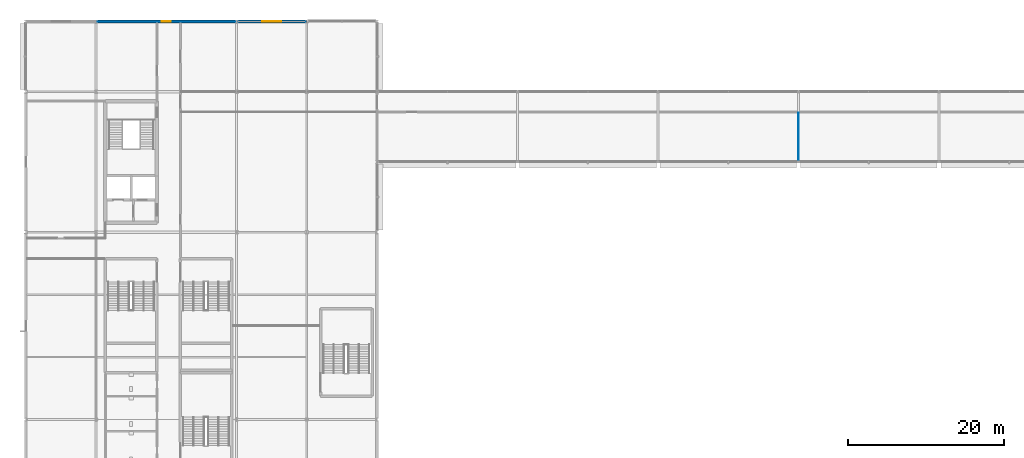
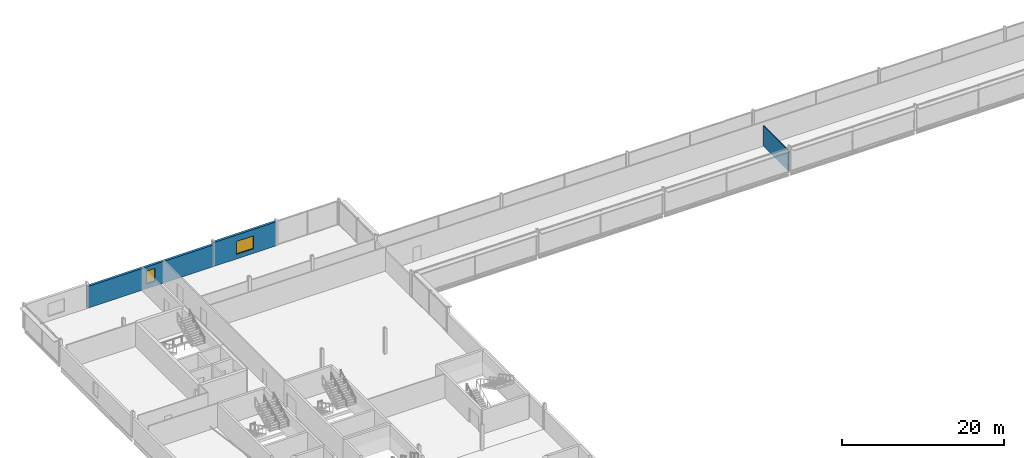
# One storey, part 62 of 98: 3 walls, 2 windows, 2 openings.
"""IFC4 building model written with IfcOpenShell, lengths in metres."""

from ifc_helpers import new_model, si_unit, direction, frame, frame_2d, origin, place, context, subcontext, project, spatial, rectangle, extrude, material, layer, layer_set, type_object, element, fill, save


model = new_model("IFC4")

# Units and contexts
model_context = context("Model", 3, precision=1e-05, world=origin(), true_north=direction((0.0, 1.0)))
body_context = subcontext(model_context, "Body", "Model", "MODEL_VIEW")
ifc_project = project(units=[si_unit("LENGTHUNIT", "METRE"), si_unit("AREAUNIT", "SQUARE_METRE"), si_unit("VOLUMEUNIT", "CUBIC_METRE"), si_unit("PLANEANGLEUNIT", "RADIAN"), si_unit("MASSUNIT", "GRAM", prefix="KILO")], contexts=[model_context])

# Site, building, storey
site_placement = place(None, origin())
site = spatial("IfcSite", under=ifc_project, at=site_placement, CompositionType="ELEMENT")
building_placement = place(site_placement, origin())
building = spatial("IfcBuilding", under=site, at=building_placement, Name="Kisiwana Market Hall", CompositionType="ELEMENT")
storey_placement = place(building_placement, frame((0.0, 0.0, 29.39990234375)))
storey = spatial("IfcBuildingStorey", under=building, at=storey_placement, Name="L06", CompositionType="ELEMENT", Elevation=29.39990234375)

# Wall, opening, window
ifc_material_1 = material(Name="Concrete C40/50 precast", Category="concrete")
ifc_layer_1 = layer(ifc_material_1, 0.14990234375, Name="Precast architectural concrete spandrel")
ifc_material_2 = material(Name="Mineral wool insulation")
ifc_layer_2 = layer(ifc_material_2, 0.090087890625, Name="Rockwool thermal insulation")
ifc_material_3 = material(Name="Masonry blockwork", Category="masonry")
ifc_layer_3 = layer(ifc_material_3, 0.10009765625, Name="Inner masonry block leaf")
ifc_layer_set_1 = layer_set([ifc_layer_1, ifc_layer_2, ifc_layer_3], Name="WL-EXT-PREC-340")
wall_type_1 = type_object("IfcWallType", Name="WL-EXT-PREC-340", PredefinedType="STANDARD", material=ifc_layer_set_1)
wall_1_placement = place(storey_placement, frame((9.010009765625, 111.0, 0.0), z_axis=(0.0, 0.0, 1.0), x_axis=(1.0, 0.0, 0.0)))
wall_1 = element("IfcWall", 1, at=wall_1_placement, inside=storey, type_object=wall_type_1, Name="Exterior wall W-1996", PredefinedType="STANDARD", context=body_context, shape_type="SweptSolid", body=[
    extrude(rectangle(XDim=17.97998046875, YDim=0.340087890625, at=frame_2d((8.989990234375, 0.0))), origin(), (0.0, 0.0, 1.0), 3.2802734375),
])
opening_1_placement = place(wall_1_placement, frame((8.389892578125, 0.0, 0.699951171875)))
opening_1 = element("IfcOpeningElement", 2, at=opening_1_placement, cuts=wall_1, Name="Opening WN-15", PredefinedType="OPENING", context=body_context, shape_type="SweptSolid", body=[
    extrude(rectangle(XDim=1.199951171875, YDim=1.949951171875, at=frame_2d((0.60009765625, 0.97509765625))), frame((0.0, 0.18212890625, 0.0), z_axis=(0.0, -1.0, 0.0), x_axis=(1.0, 0.0, 0.0)), (0.0, 0.0, 1.0), 0.364013671875),
])
ifc_material_4 = material(Name="Double-glazed solar-control low-E IGU", Category="glass")
window_type_1 = type_object("IfcWindowType", Name="WN-OFFA-1200x1950", PartitioningType="SINGLE_PANEL", PredefinedType="WINDOW", material=ifc_material_4)
window_1_placement = place(opening_1_placement, origin())
window_1 = element("IfcWindow", 3, at=window_1_placement, inside=storey, type_object=window_type_1, Name="Exterior window WN-189", OverallHeight=1.949951171875, OverallWidth=1.199951171875, PartitioningType="SINGLE_PANEL", PredefinedType="WINDOW", context=body_context, shape_type="SweptSolid", body=[
    extrude(rectangle(XDim=1.199951171875, YDim=1.949951171875, at=frame_2d((0.60009765625, 0.97509765625))), frame((0.0, 0.030029296875, 0.0), z_axis=(0.0, -1.0, 0.0), x_axis=(1.0, 0.0, 0.0)), (0.0, 0.0, 1.0), 0.06005859375),
])
fill(opening_1, window_1)

wall_2_placement = place(storey_placement, frame((27.010009765625, 111.0, 0.0), z_axis=(0.0, 0.0, 1.0), x_axis=(1.0, 0.0, 0.0)))
wall_2 = element("IfcWall", 4, at=wall_2_placement, inside=storey, type_object=wall_type_1, Name="Exterior wall W-1997", PredefinedType="STANDARD", context=body_context, shape_type="SweptSolid", body=[
    extrude(rectangle(XDim=8.97998046875, YDim=0.340087890625, at=frame_2d((4.489990234375, 0.0))), origin(), (0.0, 0.0, 1.0), 3.6201171875),
])
opening_2_placement = place(wall_2_placement, frame((3.2900390625, 0.0, 0.699951171875)))
opening_2 = element("IfcOpeningElement", 5, at=opening_2_placement, cuts=wall_2, Name="Opening WN-27", PredefinedType="OPENING", context=body_context, shape_type="SweptSolid", body=[
    extrude(rectangle(XDim=2.39990234375, YDim=1.949951171875, at=frame_2d((1.199951171875, 0.97509765625))), frame((0.0, 0.18212890625, 0.0), z_axis=(0.0, -1.0, 0.0), x_axis=(1.0, 0.0, 0.0)), (0.0, 0.0, 1.0), 0.364013671875),
])
ifc_material_5 = material(Name="Double-glazed solar-control low-E IGU", Category="glass")
window_type_2 = type_object("IfcWindowType", Name="WN-OFFA-2400x1950", PartitioningType="SINGLE_PANEL", PredefinedType="WINDOW", material=ifc_material_5)
window_2_placement = place(opening_2_placement, origin())
window_2 = element("IfcWindow", 6, at=window_2_placement, inside=storey, type_object=window_type_2, Name="Exterior window WN-203", OverallHeight=1.949951171875, OverallWidth=2.39990234375, PartitioningType="SINGLE_PANEL", PredefinedType="WINDOW", context=body_context, shape_type="SweptSolid", body=[
    extrude(rectangle(XDim=2.39990234375, YDim=1.949951171875, at=frame_2d((1.199951171875, 0.97509765625))), frame((0.0, 0.030029296875, 0.0), z_axis=(0.0, -1.0, 0.0), x_axis=(1.0, 0.0, 0.0)), (0.0, 0.0, 1.0), 0.06005859375),
])
fill(opening_2, window_2)

# Wall
ifc_material_6 = material(Name="Gypsum plasterboard")
ifc_layer_4 = layer(ifc_material_6, 0.125, Name="Double gypsum board + acoustic stud")
ifc_layer_set_2 = layer_set([ifc_layer_4], Name="WL-OFF-125")
wall_type_2 = type_object("IfcWallType", Name="WL-OFF-125", PredefinedType="PARTITIONING", material=ifc_layer_set_2)
wall_3_placement = place(storey_placement, frame((99.0, 93.080078125, 0.0), z_axis=(0.0, 0.0, 1.0), x_axis=(0.0, 1.0, 0.0)))
element("IfcWall", 7, at=wall_3_placement, inside=storey, type_object=wall_type_2, Name="Interior partition W-2076", PredefinedType="PARTITIONING", context=body_context, shape_type="SweptSolid", body=[
    extrude(rectangle(XDim=6.23486328125, YDim=0.125, at=frame_2d((3.117431640625, 0.0))), origin(), (0.0, 0.0, 1.0), 3.10888671875),
])

save(model, "model.ifc")
